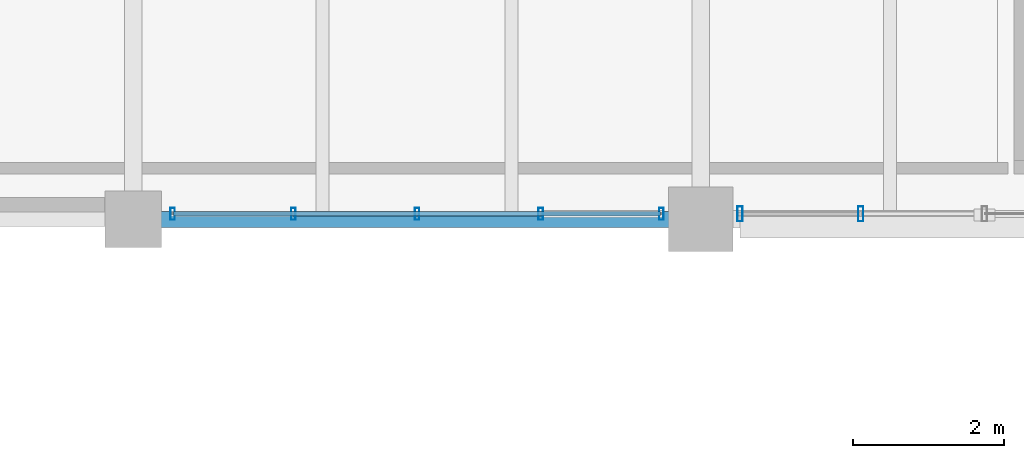
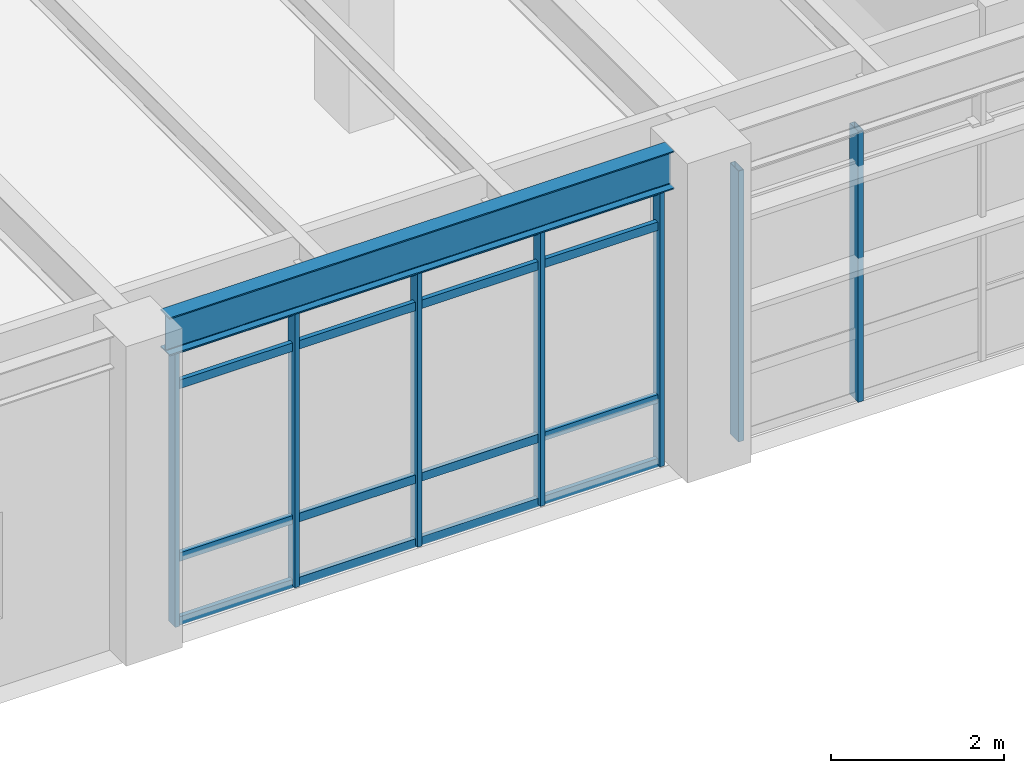
# One storey, part 54 of 200: 11 members, 1 beam, 2 elements without a shape of their own.
"""IFC4 building model written with IfcOpenShell, lengths in metres."""

from ifc_helpers import new_model, si_unit, direction, frame, origin, origin_2d, place, context, subcontext, project, spatial, hollow_rectangle, i_section, extrude, material, material_profile, profile_set, type_object, element, aggregate, save


model = new_model("IFC4")

# Units and contexts
model_context = context("Model", 3, precision=1e-05, world=origin(), true_north=direction((0.0, 1.0)))
body_context = subcontext(model_context, "Body", "Model", "MODEL_VIEW")
ifc_project = project(units=[si_unit("LENGTHUNIT", "METRE"), si_unit("AREAUNIT", "SQUARE_METRE"), si_unit("VOLUMEUNIT", "CUBIC_METRE"), si_unit("PLANEANGLEUNIT", "RADIAN"), si_unit("MASSUNIT", "GRAM", prefix="KILO"), si_unit("THERMODYNAMICTEMPERATUREUNIT", "KELVIN"), si_unit("POWERUNIT", "WATT")], contexts=[model_context])

# Site, building, storey
site_placement = place(None, origin())
site = spatial("IfcSite", under=ifc_project, at=site_placement, CompositionType="ELEMENT")
building_placement = place(site_placement, origin())
building = spatial("IfcBuilding", under=site, at=building_placement, Name="Tepalcoro Natatorium and Aquatics Centre", CompositionType="ELEMENT")
storey_placement = place(building_placement, frame((0.0, 0.0, 5.39990234375)))
storey = spatial("IfcBuildingStorey", under=building, at=storey_placement, Name="L01", CompositionType="ELEMENT", Elevation=5.39990234375)

# Curtain wall, members
ifc_material_1 = material(Name="Bronze-Anodised Extruded Aluminium Alloy EN AW-6063 T6", Category="aluminium")
curtain_wall_type_1 = type_object("IfcCurtainWallType", Name="CW_V3_FOYER", PredefinedType="USERDEFINED", material=ifc_material_1)
curtain_wall_1_placement = place(storey_placement, origin())
curtain_wall_1 = element("IfcCurtainWall", 1, at=curtain_wall_1_placement, inside=storey, type_object=curtain_wall_type_1, Name="V4 L01 S Unitised Curtain Wall Bay 2", ObjectType="UNITISED STOREFRONT", PredefinedType="USERDEFINED")
ifc_material_profile_1 = material_profile(ifc_material_1, hollow_rectangle(XDim=0.06005859375, YDim=0.159912109375, WallThickness=0.00390625, at=origin_2d()), Name="AL60X160X4")
ifc_profile_set_1 = profile_set([ifc_material_profile_1], Name="Bronze-Anodised Extruded Aluminium Alloy EN AW-6063 T6")
member_type_1 = type_object("IfcMemberType", Name="CW_MUL_60x160", PredefinedType="MULLION", material=ifc_profile_set_1)
member_1_placement = place(storey_placement, frame((21.52001953125, 86.0712890625, 0.02001953125), z_axis=(0.0, 0.0, 1.0), x_axis=(1.0, 0.0, 0.0)))
member_1 = element("IfcMember", 2, at=member_1_placement, type_object=member_type_1, Name="CW_V3_FOYER Curtain Wall Mullion", PredefinedType="MULLION", context=body_context, shape_type="SweptSolid", body=[
    extrude(hollow_rectangle(XDim=0.06005859375, YDim=0.159912109375, WallThickness=0.00390625, at=origin_2d()), origin(), (0.0, 0.0, 1.0), 3.89404296875),
])
member_2_placement = place(storey_placement, frame((23.114990234375, 86.0712890625, 0.02001953125), z_axis=(0.0, 0.0, 1.0), x_axis=(1.0, 0.0, 0.0)))
member_2 = element("IfcMember", 3, at=member_2_placement, type_object=member_type_1, Name="CW_V3_FOYER Curtain Wall Mullion", PredefinedType="MULLION", context=body_context, shape_type="SweptSolid", body=[
    extrude(hollow_rectangle(XDim=0.06005859375, YDim=0.159912109375, WallThickness=0.00390625, at=origin_2d()), origin(), (0.0, 0.0, 1.0), 3.89404296875),
])
member_3_placement = place(storey_placement, frame((24.75, 86.0712890625, 0.02001953125), z_axis=(0.0, 0.0, 1.0), x_axis=(1.0, 0.0, 0.0)))
member_3 = element("IfcMember", 4, at=member_3_placement, type_object=member_type_1, Name="CW_V3_FOYER Curtain Wall Mullion", PredefinedType="MULLION", context=body_context, shape_type="SweptSolid", body=[
    extrude(hollow_rectangle(XDim=0.06005859375, YDim=0.159912109375, WallThickness=0.00390625, at=origin_2d()), origin(), (0.0, 0.0, 1.0), 3.89404296875),
])
member_4_placement = place(storey_placement, frame((26.385009765625, 86.0712890625, 0.02001953125), z_axis=(0.0, 0.0, 1.0), x_axis=(1.0, 0.0, 0.0)))
member_4 = element("IfcMember", 5, at=member_4_placement, type_object=member_type_1, Name="CW_V3_FOYER Curtain Wall Mullion", PredefinedType="MULLION", context=body_context, shape_type="SweptSolid", body=[
    extrude(hollow_rectangle(XDim=0.06005859375, YDim=0.159912109375, WallThickness=0.00390625, at=origin_2d()), origin(), (0.0, 0.0, 1.0), 3.89404296875),
])
member_5_placement = place(storey_placement, frame((27.97998046875, 86.0712890625, 0.02001953125), z_axis=(0.0, 0.0, 1.0), x_axis=(1.0, 0.0, 0.0)))
member_5 = element("IfcMember", 6, at=member_5_placement, type_object=member_type_1, Name="CW_V3_FOYER Curtain Wall Mullion", PredefinedType="MULLION", context=body_context, shape_type="SweptSolid", body=[
    extrude(hollow_rectangle(XDim=0.06005859375, YDim=0.159912109375, WallThickness=0.00390625, at=origin_2d()), origin(), (0.0, 0.0, 1.0), 3.89404296875),
])

curtain_wall_type_2 = type_object("IfcCurtainWallType", Name="CW_V4_VILLAGE", PredefinedType="USERDEFINED", material=ifc_material_1)
curtain_wall_2_placement = place(storey_placement, origin())
curtain_wall_2 = element("IfcCurtainWall", 7, at=curtain_wall_2_placement, inside=storey, type_object=curtain_wall_type_2, Name="V4 L01 S Unitised Curtain Wall Bay 3", ObjectType="UNITISED STOREFRONT", PredefinedType="USERDEFINED")
ifc_material_profile_2 = material_profile(ifc_material_1, hollow_rectangle(XDim=0.070068359375, YDim=0.199951171875, WallThickness=0.0048828125, at=origin_2d()), Name="AL70X200X5")
ifc_profile_set_2 = profile_set([ifc_material_profile_2], Name="Bronze-Anodised Extruded Aluminium Alloy EN AW-6063 T6")
member_type_2 = type_object("IfcMemberType", Name="CW_MUL_70x200", PredefinedType="MULLION", material=ifc_profile_set_2)
member_6_placement = place(storey_placement, frame((29.02001953125, 86.0712890625, 0.02001953125), z_axis=(0.0, 0.0, 1.0), x_axis=(1.0, 0.0, 0.0)))
member_6 = element("IfcMember", 8, at=member_6_placement, type_object=member_type_2, Name="CW_V4_VILLAGE Curtain Wall Mullion", PredefinedType="MULLION", context=body_context, shape_type="SweptSolid", body=[
    extrude(hollow_rectangle(XDim=0.070068359375, YDim=0.199951171875, WallThickness=0.0048828125, at=origin_2d()), origin(), (0.0, 0.0, 1.0), 3.818115234375),
])
member_7_placement = place(storey_placement, frame((30.614990234375, 86.0712890625, 0.02001953125), z_axis=(0.0, 0.0, 1.0), x_axis=(1.0, 0.0, 0.0)))
member_7 = element("IfcMember", 9, at=member_7_placement, type_object=member_type_2, Name="CW_V4_VILLAGE Curtain Wall Mullion", PredefinedType="MULLION", context=body_context, shape_type="SweptSolid", body=[
    extrude(hollow_rectangle(XDim=0.070068359375, YDim=0.199951171875, WallThickness=0.0048828125, at=origin_2d()), origin(), (0.0, 0.0, 1.0), 3.818115234375),
])
aggregate(curtain_wall_2, [member_6, member_7])

# Member
ifc_material_profile_3 = material_profile(ifc_material_1, hollow_rectangle(XDim=0.06005859375, YDim=0.1201171875, WallThickness=0.00390625, at=origin_2d()), Name="AL60X120X4")
ifc_profile_set_3 = profile_set([ifc_material_profile_3], Name="Bronze-Anodised Extruded Aluminium Alloy EN AW-6063 T6")
member_type_3 = type_object("IfcMemberType", Name="CW_TRN_60x120", PredefinedType="USERDEFINED", material=ifc_profile_set_3)
member_8_placement = place(storey_placement, frame((21.530029296875, 86.0712890625, 0.050048828125), z_axis=(1.0, 0.0, 0.0), x_axis=(0.0, 1.0, 0.0)))
member_8 = element("IfcMember", 10, at=member_8_placement, type_object=member_type_3, Name="CW_V3_FOYER Curtain Wall Transom", ObjectType="TRANSOM", PredefinedType="USERDEFINED", context=body_context, shape_type="SweptSolid", body=[
    extrude(hollow_rectangle(XDim=0.06005859375, YDim=0.1201171875, WallThickness=0.00390625, at=origin_2d()), origin(), (0.0, 0.0, 1.0), 6.43994140625),
])

member_9_placement = place(storey_placement, frame((21.530029296875, 86.0712890625, 0.9501953125), z_axis=(1.0, 0.0, 0.0), x_axis=(0.0, 1.0, 0.0)))
member_9 = element("IfcMember", 11, at=member_9_placement, type_object=member_type_3, Name="CW_V3_FOYER Curtain Wall Transom", ObjectType="TRANSOM", PredefinedType="USERDEFINED", context=body_context, shape_type="SweptSolid", body=[
    extrude(hollow_rectangle(XDim=0.06005859375, YDim=0.1201171875, WallThickness=0.00390625, at=origin_2d()), origin(), (0.0, 0.0, 1.0), 6.43994140625),
])

member_10_placement = place(storey_placement, frame((21.530029296875, 86.0712890625, 3.384033203125), z_axis=(1.0, 0.0, 0.0), x_axis=(0.0, 1.0, 0.0)))
member_10 = element("IfcMember", 12, at=member_10_placement, type_object=member_type_3, Name="CW_V3_FOYER Curtain Wall Transom", ObjectType="TRANSOM", PredefinedType="USERDEFINED", context=body_context, shape_type="SweptSolid", body=[
    extrude(hollow_rectangle(XDim=0.06005859375, YDim=0.1201171875, WallThickness=0.00390625, at=origin_2d()), origin(), (0.0, 0.0, 1.0), 6.43994140625),
])

member_11_placement = place(storey_placement, frame((21.530029296875, 86.0712890625, 3.884033203125), z_axis=(1.0, 0.0, 0.0), x_axis=(0.0, 1.0, 0.0)))
member_11 = element("IfcMember", 13, at=member_11_placement, type_object=member_type_3, Name="CW_V3_FOYER Curtain Wall Transom", ObjectType="TRANSOM", PredefinedType="USERDEFINED", context=body_context, shape_type="SweptSolid", body=[
    extrude(hollow_rectangle(XDim=0.06005859375, YDim=0.1201171875, WallThickness=0.00390625, at=origin_2d()), origin(), (0.0, 0.0, 1.0), 6.43994140625),
])

aggregate(curtain_wall_1, [member_1, member_2, member_3, member_4, member_5, member_8, member_9, member_10, member_11])

# Beam
ifc_material_2 = material(Name="Steel ASTM A992 Grade 50 (Fy 345 MPa)", Category="steel")
ifc_material_profile_4 = material_profile(ifc_material_2, i_section(OverallWidth=0.2099609375, OverallDepth=0.535888671875, WebThickness=0.010986328125, FlangeThickness=0.01708984375, FilletRadius=0.013916015625, at=origin_2d()), Name="W21X68")
ifc_profile_set_4 = profile_set([ifc_material_profile_4], Name="Steel ASTM A992 Grade 50 (Fy 345 MPa)")
beam_type = type_object("IfcBeamType", Name="SP_W21x68", PredefinedType="SPANDREL", material=ifc_profile_set_4)
beam_placement = place(storey_placement, frame((21.360107421875, 86.0, 4.217041015625), z_axis=(1.0, 0.0, 0.0), x_axis=(0.0, 1.0, 0.0)))
element("IfcBeam", 14, at=beam_placement, inside=storey, type_object=beam_type, Name="V4 L01 Grid Girder X", PredefinedType="SPANDREL", context=body_context, shape_type="SweptSolid", body=[
    extrude(i_section(OverallWidth=0.2099609375, OverallDepth=0.535888671875, WebThickness=0.010986328125, FlangeThickness=0.01708984375, FilletRadius=0.013916015625, at=origin_2d()), origin(), (0.0, 0.0, 1.0), 6.72998046875),
])

save(model, "model.ifc")
